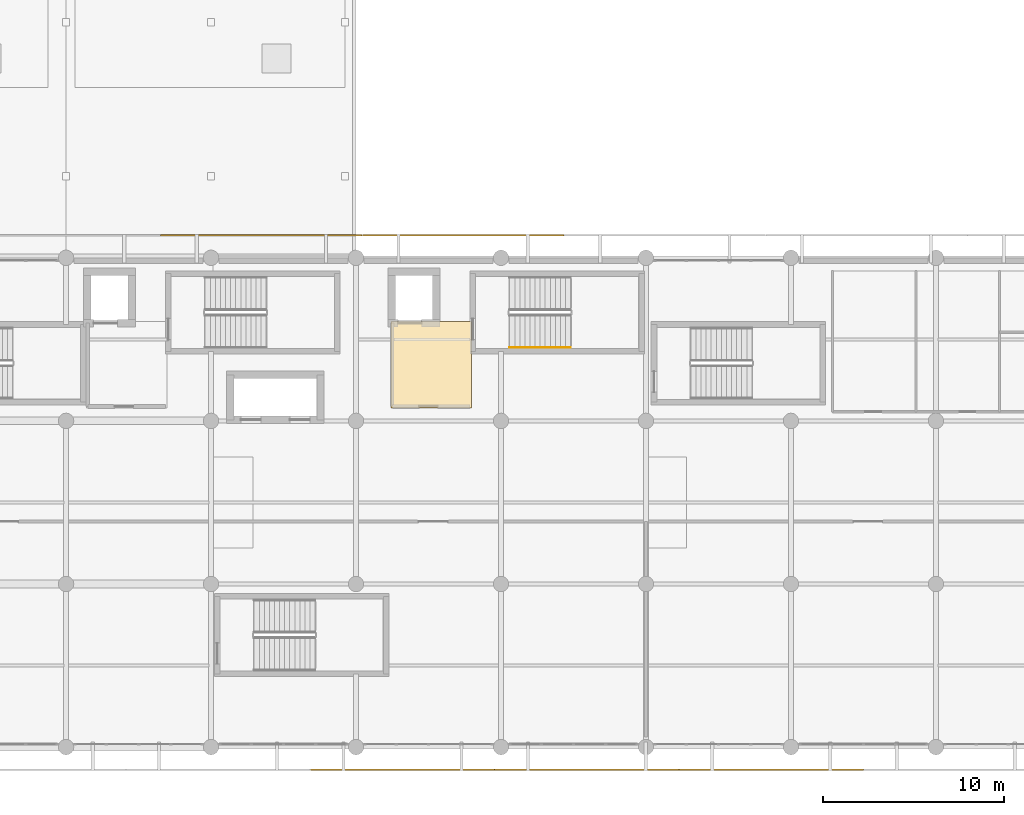
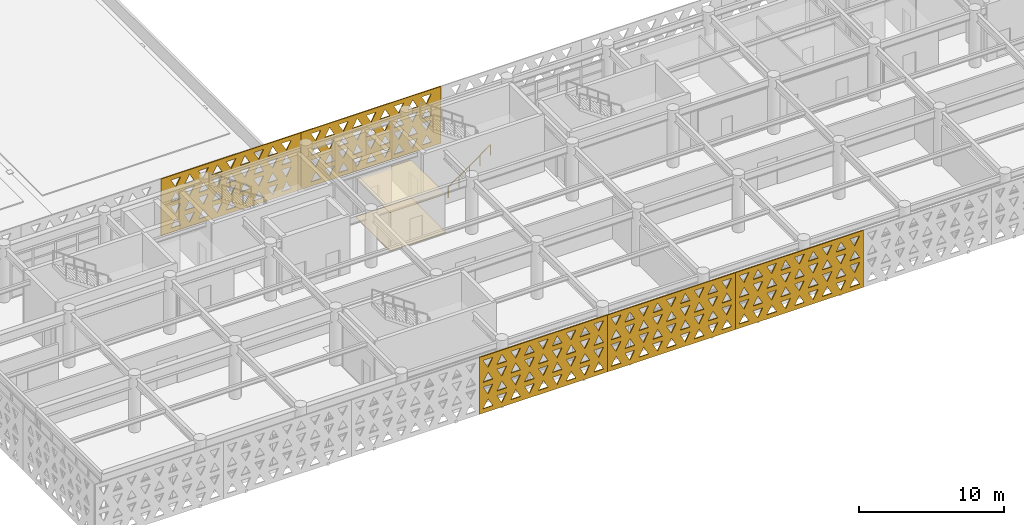
# One storey, part 45 of 54: 7 coverings, 1 railing.
"""IFC4 building model written with IfcOpenShell, lengths in metres."""

from ifc_helpers import new_model, si_unit, direction, frame, origin, origin_2d, place, context, subcontext, project, spatial, polyline, circle, outline, extrude, material, layer, layer_set, type_object, element, save


model = new_model("IFC4")

# Units and contexts
model_context = context("Model", 3, precision=1e-05, world=origin(), true_north=direction((0.0, 1.0)))
body_context = subcontext(model_context, "Body", "Model", "MODEL_VIEW")
ifc_project = project(units=[si_unit("LENGTHUNIT", "METRE"), si_unit("AREAUNIT", "SQUARE_METRE"), si_unit("VOLUMEUNIT", "CUBIC_METRE"), si_unit("PLANEANGLEUNIT", "RADIAN"), si_unit("MASSUNIT", "GRAM", prefix="KILO")], contexts=[model_context])

# Site, building, storey
site_placement = place(None, origin())
site = spatial("IfcSite", under=ifc_project, at=site_placement, CompositionType="ELEMENT")
building_placement = place(site_placement, origin())
building = spatial("IfcBuilding", under=site, at=building_placement, Name="Tlacozan Convention Centre", CompositionType="ELEMENT")
storey_placement = place(building_placement, frame((0.0, 0.0, 11.39990234375)))
storey = spatial("IfcBuildingStorey", under=building, at=storey_placement, Name="L02", CompositionType="ELEMENT", Elevation=11.39990234375)

# Coverings
ifc_material_1 = material(Name="Perforated Acoustic Mineral Fibre Ceiling")
ifc_layer_1 = layer(ifc_material_1, 0.02490234375)
ifc_layer_set_1 = layer_set([ifc_layer_1], Name="Perforated Acoustic Mineral Fibre Ceiling")
covering_type_1 = type_object("IfcCoveringType", Name="Acoustic Mineral Fibre Ceiling 25", PredefinedType="CEILING", material=ifc_layer_set_1)
covering_1_placement = place(storey_placement, frame((0.0, 0.0, 3.2001953125)))
element("IfcCovering", 1, at=covering_1_placement, inside=storey, type_object=covering_type_1, Name="L02 Acoustic Ceiling L02-FFL-3", PredefinedType="CEILING", context=body_context, shape_type="SweptSolid", body=[
    extrude(outline(polyline([(33.919921875, 18.719970703125), (38.3798828125, 18.719970703125), (38.3798828125, 23.47998046875), (33.919921875, 23.47998046875), (33.919921875, 18.719970703125)])), origin(), (0.0, 0.0, 1.0), 0.02490234375),
])
ifc_material_2 = material(Name="Polished Basalt Terrazzo Flooring", Category="masonry")
ifc_layer_2 = layer(ifc_material_2, 0.02001953125)
ifc_layer_set_2 = layer_set([ifc_layer_2], Name="Polished Basalt Terrazzo Flooring")
covering_type_2 = type_object("IfcCoveringType", Name="Polished Basalt Terrazzo Flooring 20", PredefinedType="FLOORING", material=ifc_layer_set_2)
covering_2_placement = place(storey_placement, origin())
element("IfcCovering", 2, at=covering_2_placement, inside=storey, type_object=covering_type_2, Name="L02 Terrazzo Flooring L02-FFL-3", PredefinedType="FLOORING", context=body_context, shape_type="SweptSolid", body=[
    extrude(outline(polyline([(33.919921875, 18.719970703125), (38.3798828125, 18.719970703125), (38.3798828125, 23.47998046875), (33.919921875, 23.47998046875), (33.919921875, 18.719970703125)])), origin(), (0.0, 0.0, 1.0), 0.02001953125),
])

# Railing
ifc_material_3 = material(Name="Architectural Painted Galvanised Steel Railing", Category="steel")
railing_type = type_object("IfcRailingType", Name="Stair Wall Handrail 900", PredefinedType="HANDRAIL", material=ifc_material_3)
railing_placement = place(storey_placement, frame((40.47998046875, 22.050048828125, 0.184814453125)))
element("IfcRailing", 3, at=railing_placement, inside=storey, type_object=railing_type, Name="L02 ST-04 stair handrail 1", PredefinedType="HANDRAIL", context=body_context, shape_type="SweptSolid", body=[
    extrude(circle(Radius=0.02392578125, at=origin_2d()), frame((0.0, 0.0, 0.8759765625), z_axis=(0.813753445783, 0.0, 0.581210228297), x_axis=(0.0, 1.0, 0.0)), (0.0, 0.0, 1.0), 4.129150390625),
    extrude(circle(Radius=0.02099609375, at=origin_2d()), origin(), (0.0, 0.0, 1.0), 0.851806640625),
    extrude(circle(Radius=0.02099609375, at=origin_2d()), frame((0.840087890625, 0.0, 0.60009765625)), (0.0, 0.0, 1.0), 0.851806640625),
    extrude(circle(Radius=0.02099609375, at=origin_2d()), frame((1.68017578125, 0.0, 1.199951171875)), (0.0, 0.0, 1.0), 0.851806640625),
    extrude(circle(Radius=0.02099609375, at=origin_2d()), frame((2.52001953125, 0.0, 1.7998046875)), (0.0, 0.0, 1.0), 0.851806640625),
    extrude(circle(Radius=0.02099609375, at=origin_2d()), frame((3.360107421875, 0.0, 2.39990234375)), (0.0, 0.0, 1.0), 0.851806640625),
])

# Coverings
ifc_material_4 = material(Name="Toluca Fired Terracotta Masonry Solar Screen", Category="masonry")
ifc_layer_3 = layer(ifc_material_4, 0.080078125)
ifc_layer_set_3 = layer_set([ifc_layer_3], Name="Toluca Fired Terracotta Masonry Solar Screen")
covering_type_3 = type_object("IfcCoveringType", Name="Terracotta Triangle Solar Screen 80", PredefinedType="USERDEFINED", material=ifc_layer_set_3)
covering_3_placement = place(storey_placement, frame((29.47705078125, -1.25, -0.02978515625), z_axis=(0.0, 0.0, 1.0), x_axis=(1.0, 0.0, 0.0)))
element("IfcCovering", 4, at=covering_3_placement, inside=storey, type_object=covering_type_3, Name="L02 Terracotta Triangle Screen 28", ObjectType="SCREEN", PredefinedType="USERDEFINED", context=body_context, shape_type="SweptSolid", body=[
    extrude(outline(polyline([(0.0, 0.0), (10.1708984375, 0.0), (10.1708984375, 4.77978515625), (0.0, 4.77978515625), (0.0, 0.0)]), holes=[polyline([(0.29931640625, 0.360107421875), (1.071533203125, 0.360107421875), (0.685546875, 1.074951171875), (0.29931640625, 0.360107421875)]), polyline([(1.3994140625, 1.074951171875), (2.17138671875, 1.074951171875), (1.785400390625, 0.360107421875), (1.3994140625, 1.074951171875)]), polyline([(2.49951171875, 0.360107421875), (3.271484375, 0.360107421875), (2.885498046875, 1.074951171875), (2.49951171875, 0.360107421875)]), polyline([(3.599365234375, 1.074951171875), (4.37158203125, 1.074951171875), (3.9853515625, 0.360107421875), (3.599365234375, 1.074951171875)]), polyline([(4.699462890625, 0.360107421875), (5.471435546875, 0.360107421875), (5.08544921875, 1.074951171875), (4.699462890625, 0.360107421875)]), polyline([(5.79931640625, 1.074951171875), (6.571533203125, 1.074951171875), (6.185546875, 0.360107421875), (5.79931640625, 1.074951171875)]), polyline([(6.8994140625, 0.360107421875), (7.67138671875, 0.360107421875), (7.285400390625, 1.074951171875), (6.8994140625, 0.360107421875)]), polyline([(7.99951171875, 1.074951171875), (8.771484375, 1.074951171875), (8.385498046875, 0.360107421875), (7.99951171875, 1.074951171875)]), polyline([(9.099365234375, 0.360107421875), (9.87158203125, 0.360107421875), (9.4853515625, 1.074951171875), (9.099365234375, 0.360107421875)]), polyline([(0.29931640625, 2.18994140625), (1.071533203125, 2.18994140625), (0.685546875, 1.47509765625), (0.29931640625, 2.18994140625)]), polyline([(1.3994140625, 1.47509765625), (2.17138671875, 1.47509765625), (1.785400390625, 2.18994140625), (1.3994140625, 1.47509765625)]), polyline([(2.49951171875, 2.18994140625), (3.271484375, 2.18994140625), (2.885498046875, 1.47509765625), (2.49951171875, 2.18994140625)]), polyline([(3.599365234375, 1.47509765625), (4.37158203125, 1.47509765625), (3.9853515625, 2.18994140625), (3.599365234375, 1.47509765625)]), polyline([(4.699462890625, 2.18994140625), (5.471435546875, 2.18994140625), (5.08544921875, 1.47509765625), (4.699462890625, 2.18994140625)]), polyline([(5.79931640625, 1.47509765625), (6.571533203125, 1.47509765625), (6.185546875, 2.18994140625), (5.79931640625, 1.47509765625)]), polyline([(6.8994140625, 2.18994140625), (7.67138671875, 2.18994140625), (7.285400390625, 1.47509765625), (6.8994140625, 2.18994140625)]), polyline([(7.99951171875, 1.47509765625), (8.771484375, 1.47509765625), (8.385498046875, 2.18994140625), (7.99951171875, 1.47509765625)]), polyline([(9.099365234375, 2.18994140625), (9.87158203125, 2.18994140625), (9.4853515625, 1.47509765625), (9.099365234375, 2.18994140625)]), polyline([(0.29931640625, 2.58984375), (1.071533203125, 2.58984375), (0.685546875, 3.3046875), (0.29931640625, 2.58984375)]), polyline([(1.3994140625, 3.3046875), (2.17138671875, 3.3046875), (1.785400390625, 2.58984375), (1.3994140625, 3.3046875)]), polyline([(2.49951171875, 2.58984375), (3.271484375, 2.58984375), (2.885498046875, 3.3046875), (2.49951171875, 2.58984375)]), polyline([(3.599365234375, 3.3046875), (4.37158203125, 3.3046875), (3.9853515625, 2.58984375), (3.599365234375, 3.3046875)]), polyline([(4.699462890625, 2.58984375), (5.471435546875, 2.58984375), (5.08544921875, 3.3046875), (4.699462890625, 2.58984375)]), polyline([(5.79931640625, 3.3046875), (6.571533203125, 3.3046875), (6.185546875, 2.58984375), (5.79931640625, 3.3046875)]), polyline([(6.8994140625, 2.58984375), (7.67138671875, 2.58984375), (7.285400390625, 3.3046875), (6.8994140625, 2.58984375)]), polyline([(7.99951171875, 3.3046875), (8.771484375, 3.3046875), (8.385498046875, 2.58984375), (7.99951171875, 3.3046875)]), polyline([(9.099365234375, 2.58984375), (9.87158203125, 2.58984375), (9.4853515625, 3.3046875), (9.099365234375, 2.58984375)]), polyline([(0.29931640625, 4.419677734375), (1.071533203125, 4.419677734375), (0.685546875, 3.704833984375), (0.29931640625, 4.419677734375)]), polyline([(1.3994140625, 3.704833984375), (2.17138671875, 3.704833984375), (1.785400390625, 4.419677734375), (1.3994140625, 3.704833984375)]), polyline([(2.49951171875, 4.419677734375), (3.271484375, 4.419677734375), (2.885498046875, 3.704833984375), (2.49951171875, 4.419677734375)]), polyline([(3.599365234375, 3.704833984375), (4.37158203125, 3.704833984375), (3.9853515625, 4.419677734375), (3.599365234375, 3.704833984375)]), polyline([(4.699462890625, 4.419677734375), (5.471435546875, 4.419677734375), (5.08544921875, 3.704833984375), (4.699462890625, 4.419677734375)]), polyline([(5.79931640625, 3.704833984375), (6.571533203125, 3.704833984375), (6.185546875, 4.419677734375), (5.79931640625, 3.704833984375)]), polyline([(6.8994140625, 4.419677734375), (7.67138671875, 4.419677734375), (7.285400390625, 3.704833984375), (6.8994140625, 4.419677734375)]), polyline([(7.99951171875, 3.704833984375), (8.771484375, 3.704833984375), (8.385498046875, 4.419677734375), (7.99951171875, 3.704833984375)]), polyline([(9.099365234375, 4.419677734375), (9.87158203125, 4.419677734375), (9.4853515625, 3.704833984375), (9.099365234375, 4.419677734375)])]), frame((0.0, 0.0400390625, 0.0), z_axis=(0.0, -1.0, 0.0), x_axis=(1.0, 0.0, 0.0)), (0.0, 0.0, 1.0), 0.080078125),
])
covering_4_placement = place(storey_placement, frame((39.652099609375, -1.25, -0.02978515625), z_axis=(0.0, 0.0, 1.0), x_axis=(1.0, 0.0, 0.0)))
element("IfcCovering", 5, at=covering_4_placement, inside=storey, type_object=covering_type_3, Name="L02 Terracotta Triangle Screen 29", ObjectType="SCREEN", PredefinedType="USERDEFINED", context=body_context, shape_type="SweptSolid", body=[
    extrude(outline(polyline([(0.0, 0.0), (10.1708984375, 0.0), (10.1708984375, 4.77978515625), (0.0, 4.77978515625), (0.0, 0.0)]), holes=[polyline([(0.29931640625, 0.360107421875), (1.071533203125, 0.360107421875), (0.685546875, 1.074951171875), (0.29931640625, 0.360107421875)]), polyline([(1.3994140625, 1.074951171875), (2.17138671875, 1.074951171875), (1.785400390625, 0.360107421875), (1.3994140625, 1.074951171875)]), polyline([(2.49951171875, 0.360107421875), (3.271484375, 0.360107421875), (2.885498046875, 1.074951171875), (2.49951171875, 0.360107421875)]), polyline([(3.599365234375, 1.074951171875), (4.37158203125, 1.074951171875), (3.9853515625, 0.360107421875), (3.599365234375, 1.074951171875)]), polyline([(4.699462890625, 0.360107421875), (5.471435546875, 0.360107421875), (5.08544921875, 1.074951171875), (4.699462890625, 0.360107421875)]), polyline([(5.79931640625, 1.074951171875), (6.571533203125, 1.074951171875), (6.185546875, 0.360107421875), (5.79931640625, 1.074951171875)]), polyline([(6.8994140625, 0.360107421875), (7.67138671875, 0.360107421875), (7.285400390625, 1.074951171875), (6.8994140625, 0.360107421875)]), polyline([(7.99951171875, 1.074951171875), (8.771484375, 1.074951171875), (8.385498046875, 0.360107421875), (7.99951171875, 1.074951171875)]), polyline([(9.099365234375, 0.360107421875), (9.87158203125, 0.360107421875), (9.4853515625, 1.074951171875), (9.099365234375, 0.360107421875)]), polyline([(0.29931640625, 2.18994140625), (1.071533203125, 2.18994140625), (0.685546875, 1.47509765625), (0.29931640625, 2.18994140625)]), polyline([(1.3994140625, 1.47509765625), (2.17138671875, 1.47509765625), (1.785400390625, 2.18994140625), (1.3994140625, 1.47509765625)]), polyline([(2.49951171875, 2.18994140625), (3.271484375, 2.18994140625), (2.885498046875, 1.47509765625), (2.49951171875, 2.18994140625)]), polyline([(3.599365234375, 1.47509765625), (4.37158203125, 1.47509765625), (3.9853515625, 2.18994140625), (3.599365234375, 1.47509765625)]), polyline([(4.699462890625, 2.18994140625), (5.471435546875, 2.18994140625), (5.08544921875, 1.47509765625), (4.699462890625, 2.18994140625)]), polyline([(5.79931640625, 1.47509765625), (6.571533203125, 1.47509765625), (6.185546875, 2.18994140625), (5.79931640625, 1.47509765625)]), polyline([(6.8994140625, 2.18994140625), (7.67138671875, 2.18994140625), (7.285400390625, 1.47509765625), (6.8994140625, 2.18994140625)]), polyline([(7.99951171875, 1.47509765625), (8.771484375, 1.47509765625), (8.385498046875, 2.18994140625), (7.99951171875, 1.47509765625)]), polyline([(9.099365234375, 2.18994140625), (9.87158203125, 2.18994140625), (9.4853515625, 1.47509765625), (9.099365234375, 2.18994140625)]), polyline([(0.29931640625, 2.58984375), (1.071533203125, 2.58984375), (0.685546875, 3.3046875), (0.29931640625, 2.58984375)]), polyline([(1.3994140625, 3.3046875), (2.17138671875, 3.3046875), (1.785400390625, 2.58984375), (1.3994140625, 3.3046875)]), polyline([(2.49951171875, 2.58984375), (3.271484375, 2.58984375), (2.885498046875, 3.3046875), (2.49951171875, 2.58984375)]), polyline([(3.599365234375, 3.3046875), (4.37158203125, 3.3046875), (3.9853515625, 2.58984375), (3.599365234375, 3.3046875)]), polyline([(4.699462890625, 2.58984375), (5.471435546875, 2.58984375), (5.08544921875, 3.3046875), (4.699462890625, 2.58984375)]), polyline([(5.79931640625, 3.3046875), (6.571533203125, 3.3046875), (6.185546875, 2.58984375), (5.79931640625, 3.3046875)]), polyline([(6.8994140625, 2.58984375), (7.67138671875, 2.58984375), (7.285400390625, 3.3046875), (6.8994140625, 2.58984375)]), polyline([(7.99951171875, 3.3046875), (8.771484375, 3.3046875), (8.385498046875, 2.58984375), (7.99951171875, 3.3046875)]), polyline([(9.099365234375, 2.58984375), (9.87158203125, 2.58984375), (9.4853515625, 3.3046875), (9.099365234375, 2.58984375)]), polyline([(0.29931640625, 4.419677734375), (1.071533203125, 4.419677734375), (0.685546875, 3.704833984375), (0.29931640625, 4.419677734375)]), polyline([(1.3994140625, 3.704833984375), (2.17138671875, 3.704833984375), (1.785400390625, 4.419677734375), (1.3994140625, 3.704833984375)]), polyline([(2.49951171875, 4.419677734375), (3.271484375, 4.419677734375), (2.885498046875, 3.704833984375), (2.49951171875, 4.419677734375)]), polyline([(3.599365234375, 3.704833984375), (4.37158203125, 3.704833984375), (3.9853515625, 4.419677734375), (3.599365234375, 3.704833984375)]), polyline([(4.699462890625, 4.419677734375), (5.471435546875, 4.419677734375), (5.08544921875, 3.704833984375), (4.699462890625, 4.419677734375)]), polyline([(5.79931640625, 3.704833984375), (6.571533203125, 3.704833984375), (6.185546875, 4.419677734375), (5.79931640625, 3.704833984375)]), polyline([(6.8994140625, 4.419677734375), (7.67138671875, 4.419677734375), (7.285400390625, 3.704833984375), (6.8994140625, 4.419677734375)]), polyline([(7.99951171875, 3.704833984375), (8.771484375, 3.704833984375), (8.385498046875, 4.419677734375), (7.99951171875, 3.704833984375)]), polyline([(9.099365234375, 4.419677734375), (9.87158203125, 4.419677734375), (9.4853515625, 3.704833984375), (9.099365234375, 4.419677734375)])]), frame((0.0, 0.0400390625, 0.0), z_axis=(0.0, -1.0, 0.0), x_axis=(1.0, 0.0, 0.0)), (0.0, 0.0, 1.0), 0.080078125),
])
covering_5_placement = place(storey_placement, frame((49.826904296875, -1.25, -0.02978515625), z_axis=(0.0, 0.0, 1.0), x_axis=(1.0, 0.0, 0.0)))
element("IfcCovering", 6, at=covering_5_placement, inside=storey, type_object=covering_type_3, Name="L02 Terracotta Triangle Screen 30", ObjectType="SCREEN", PredefinedType="USERDEFINED", context=body_context, shape_type="SweptSolid", body=[
    extrude(outline(polyline([(0.0, 0.0), (10.171142578125, 0.0), (10.171142578125, 4.77978515625), (0.0, 4.77978515625), (0.0, 0.0)]), holes=[polyline([(0.299560546875, 0.360107421875), (1.071533203125, 0.360107421875), (0.685546875, 1.074951171875), (0.299560546875, 0.360107421875)]), polyline([(1.399658203125, 1.074951171875), (2.171630859375, 1.074951171875), (1.78564453125, 0.360107421875), (1.399658203125, 1.074951171875)]), polyline([(2.49951171875, 0.360107421875), (3.271484375, 0.360107421875), (2.885498046875, 1.074951171875), (2.49951171875, 0.360107421875)]), polyline([(3.599609375, 1.074951171875), (4.37158203125, 1.074951171875), (3.985595703125, 0.360107421875), (3.599609375, 1.074951171875)]), polyline([(4.699462890625, 0.360107421875), (5.4716796875, 0.360107421875), (5.08544921875, 1.074951171875), (4.699462890625, 0.360107421875)]), polyline([(5.799560546875, 1.074951171875), (6.571533203125, 1.074951171875), (6.185546875, 0.360107421875), (5.799560546875, 1.074951171875)]), polyline([(6.899658203125, 0.360107421875), (7.671630859375, 0.360107421875), (7.28564453125, 1.074951171875), (6.899658203125, 0.360107421875)]), polyline([(7.99951171875, 1.074951171875), (8.771484375, 1.074951171875), (8.385498046875, 0.360107421875), (7.99951171875, 1.074951171875)]), polyline([(9.099609375, 0.360107421875), (9.87158203125, 0.360107421875), (9.485595703125, 1.074951171875), (9.099609375, 0.360107421875)]), polyline([(0.299560546875, 2.18994140625), (1.071533203125, 2.18994140625), (0.685546875, 1.47509765625), (0.299560546875, 2.18994140625)]), polyline([(1.399658203125, 1.47509765625), (2.171630859375, 1.47509765625), (1.78564453125, 2.18994140625), (1.399658203125, 1.47509765625)]), polyline([(2.49951171875, 2.18994140625), (3.271484375, 2.18994140625), (2.885498046875, 1.47509765625), (2.49951171875, 2.18994140625)]), polyline([(3.599609375, 1.47509765625), (4.37158203125, 1.47509765625), (3.985595703125, 2.18994140625), (3.599609375, 1.47509765625)]), polyline([(4.699462890625, 2.18994140625), (5.4716796875, 2.18994140625), (5.08544921875, 1.47509765625), (4.699462890625, 2.18994140625)]), polyline([(5.799560546875, 1.47509765625), (6.571533203125, 1.47509765625), (6.185546875, 2.18994140625), (5.799560546875, 1.47509765625)]), polyline([(6.899658203125, 2.18994140625), (7.671630859375, 2.18994140625), (7.28564453125, 1.47509765625), (6.899658203125, 2.18994140625)]), polyline([(7.99951171875, 1.47509765625), (8.771484375, 1.47509765625), (8.385498046875, 2.18994140625), (7.99951171875, 1.47509765625)]), polyline([(9.099609375, 2.18994140625), (9.87158203125, 2.18994140625), (9.485595703125, 1.47509765625), (9.099609375, 2.18994140625)]), polyline([(0.299560546875, 2.58984375), (1.071533203125, 2.58984375), (0.685546875, 3.3046875), (0.299560546875, 2.58984375)]), polyline([(1.399658203125, 3.3046875), (2.171630859375, 3.3046875), (1.78564453125, 2.58984375), (1.399658203125, 3.3046875)]), polyline([(2.49951171875, 2.58984375), (3.271484375, 2.58984375), (2.885498046875, 3.3046875), (2.49951171875, 2.58984375)]), polyline([(3.599609375, 3.3046875), (4.37158203125, 3.3046875), (3.985595703125, 2.58984375), (3.599609375, 3.3046875)]), polyline([(4.699462890625, 2.58984375), (5.4716796875, 2.58984375), (5.08544921875, 3.3046875), (4.699462890625, 2.58984375)]), polyline([(5.799560546875, 3.3046875), (6.571533203125, 3.3046875), (6.185546875, 2.58984375), (5.799560546875, 3.3046875)]), polyline([(6.899658203125, 2.58984375), (7.671630859375, 2.58984375), (7.28564453125, 3.3046875), (6.899658203125, 2.58984375)]), polyline([(7.99951171875, 3.3046875), (8.771484375, 3.3046875), (8.385498046875, 2.58984375), (7.99951171875, 3.3046875)]), polyline([(9.099609375, 2.58984375), (9.87158203125, 2.58984375), (9.485595703125, 3.3046875), (9.099609375, 2.58984375)]), polyline([(0.299560546875, 4.419677734375), (1.071533203125, 4.419677734375), (0.685546875, 3.704833984375), (0.299560546875, 4.419677734375)]), polyline([(1.399658203125, 3.704833984375), (2.171630859375, 3.704833984375), (1.78564453125, 4.419677734375), (1.399658203125, 3.704833984375)]), polyline([(2.49951171875, 4.419677734375), (3.271484375, 4.419677734375), (2.885498046875, 3.704833984375), (2.49951171875, 4.419677734375)]), polyline([(3.599609375, 3.704833984375), (4.37158203125, 3.704833984375), (3.985595703125, 4.419677734375), (3.599609375, 3.704833984375)]), polyline([(4.699462890625, 4.419677734375), (5.4716796875, 4.419677734375), (5.08544921875, 3.704833984375), (4.699462890625, 4.419677734375)]), polyline([(5.799560546875, 3.704833984375), (6.571533203125, 3.704833984375), (6.185546875, 4.419677734375), (5.799560546875, 3.704833984375)]), polyline([(6.899658203125, 4.419677734375), (7.671630859375, 4.419677734375), (7.28564453125, 3.704833984375), (6.899658203125, 4.419677734375)]), polyline([(7.99951171875, 3.704833984375), (8.771484375, 3.704833984375), (8.385498046875, 4.419677734375), (7.99951171875, 3.704833984375)]), polyline([(9.099609375, 4.419677734375), (9.87158203125, 4.419677734375), (9.485595703125, 3.704833984375), (9.099609375, 4.419677734375)])]), frame((0.0, 0.0400390625, 0.0), z_axis=(0.0, -1.0, 0.0), x_axis=(1.0, 0.0, 0.0)), (0.0, 0.0, 1.0), 0.080078125),
])
covering_6_placement = place(storey_placement, frame((21.214599609375, 28.25, -0.02978515625), z_axis=(0.0, 0.0, 1.0), x_axis=(1.0, 0.0, 0.0)))
element("IfcCovering", 7, at=covering_6_placement, inside=storey, type_object=covering_type_3, Name="L02 Terracotta Triangle Screen 45", ObjectType="SCREEN", PredefinedType="USERDEFINED", context=body_context, shape_type="SweptSolid", body=[
    extrude(outline(polyline([(0.0, 0.0), (11.127197265625, 0.0), (11.127197265625, 4.77978515625), (0.0, 4.77978515625), (0.0, 0.0)]), holes=[polyline([(0.777587890625, 0.360107421875), (1.549560546875, 0.360107421875), (1.16357421875, 1.074951171875), (0.777587890625, 0.360107421875)]), polyline([(1.877685546875, 1.074951171875), (2.649658203125, 1.074951171875), (2.263671875, 0.360107421875), (1.877685546875, 1.074951171875)]), polyline([(2.9775390625, 0.360107421875), (3.74951171875, 0.360107421875), (3.363525390625, 1.074951171875), (2.9775390625, 0.360107421875)]), polyline([(4.07763671875, 1.074951171875), (4.849609375, 1.074951171875), (4.463623046875, 0.360107421875), (4.07763671875, 1.074951171875)]), polyline([(5.177490234375, 0.360107421875), (5.94970703125, 0.360107421875), (5.5634765625, 1.074951171875), (5.177490234375, 0.360107421875)]), polyline([(6.277587890625, 1.074951171875), (7.049560546875, 1.074951171875), (6.66357421875, 0.360107421875), (6.277587890625, 1.074951171875)]), polyline([(7.377685546875, 0.360107421875), (8.149658203125, 0.360107421875), (7.763671875, 1.074951171875), (7.377685546875, 0.360107421875)]), polyline([(8.4775390625, 1.074951171875), (9.24951171875, 1.074951171875), (8.863525390625, 0.360107421875), (8.4775390625, 1.074951171875)]), polyline([(9.57763671875, 0.360107421875), (10.349609375, 0.360107421875), (9.963623046875, 1.074951171875), (9.57763671875, 0.360107421875)]), polyline([(0.777587890625, 2.18994140625), (1.549560546875, 2.18994140625), (1.16357421875, 1.47509765625), (0.777587890625, 2.18994140625)]), polyline([(1.877685546875, 1.47509765625), (2.649658203125, 1.47509765625), (2.263671875, 2.18994140625), (1.877685546875, 1.47509765625)]), polyline([(2.9775390625, 2.18994140625), (3.74951171875, 2.18994140625), (3.363525390625, 1.47509765625), (2.9775390625, 2.18994140625)]), polyline([(4.07763671875, 1.47509765625), (4.849609375, 1.47509765625), (4.463623046875, 2.18994140625), (4.07763671875, 1.47509765625)]), polyline([(5.177490234375, 2.18994140625), (5.94970703125, 2.18994140625), (5.5634765625, 1.47509765625), (5.177490234375, 2.18994140625)]), polyline([(6.277587890625, 1.47509765625), (7.049560546875, 1.47509765625), (6.66357421875, 2.18994140625), (6.277587890625, 1.47509765625)]), polyline([(7.377685546875, 2.18994140625), (8.149658203125, 2.18994140625), (7.763671875, 1.47509765625), (7.377685546875, 2.18994140625)]), polyline([(8.4775390625, 1.47509765625), (9.24951171875, 1.47509765625), (8.863525390625, 2.18994140625), (8.4775390625, 1.47509765625)]), polyline([(9.57763671875, 2.18994140625), (10.349609375, 2.18994140625), (9.963623046875, 1.47509765625), (9.57763671875, 2.18994140625)]), polyline([(0.777587890625, 2.58984375), (1.549560546875, 2.58984375), (1.16357421875, 3.3046875), (0.777587890625, 2.58984375)]), polyline([(1.877685546875, 3.3046875), (2.649658203125, 3.3046875), (2.263671875, 2.58984375), (1.877685546875, 3.3046875)]), polyline([(2.9775390625, 2.58984375), (3.74951171875, 2.58984375), (3.363525390625, 3.3046875), (2.9775390625, 2.58984375)]), polyline([(4.07763671875, 3.3046875), (4.849609375, 3.3046875), (4.463623046875, 2.58984375), (4.07763671875, 3.3046875)]), polyline([(5.177490234375, 2.58984375), (5.94970703125, 2.58984375), (5.5634765625, 3.3046875), (5.177490234375, 2.58984375)]), polyline([(6.277587890625, 3.3046875), (7.049560546875, 3.3046875), (6.66357421875, 2.58984375), (6.277587890625, 3.3046875)]), polyline([(7.377685546875, 2.58984375), (8.149658203125, 2.58984375), (7.763671875, 3.3046875), (7.377685546875, 2.58984375)]), polyline([(8.4775390625, 3.3046875), (9.24951171875, 3.3046875), (8.863525390625, 2.58984375), (8.4775390625, 3.3046875)]), polyline([(9.57763671875, 2.58984375), (10.349609375, 2.58984375), (9.963623046875, 3.3046875), (9.57763671875, 2.58984375)]), polyline([(0.777587890625, 4.419677734375), (1.549560546875, 4.419677734375), (1.16357421875, 3.704833984375), (0.777587890625, 4.419677734375)]), polyline([(1.877685546875, 3.704833984375), (2.649658203125, 3.704833984375), (2.263671875, 4.419677734375), (1.877685546875, 3.704833984375)]), polyline([(2.9775390625, 4.419677734375), (3.74951171875, 4.419677734375), (3.363525390625, 3.704833984375), (2.9775390625, 4.419677734375)]), polyline([(4.07763671875, 3.704833984375), (4.849609375, 3.704833984375), (4.463623046875, 4.419677734375), (4.07763671875, 3.704833984375)]), polyline([(5.177490234375, 4.419677734375), (5.94970703125, 4.419677734375), (5.5634765625, 3.704833984375), (5.177490234375, 4.419677734375)]), polyline([(6.277587890625, 3.704833984375), (7.049560546875, 3.704833984375), (6.66357421875, 4.419677734375), (6.277587890625, 3.704833984375)]), polyline([(7.377685546875, 4.419677734375), (8.149658203125, 4.419677734375), (7.763671875, 3.704833984375), (7.377685546875, 4.419677734375)]), polyline([(8.4775390625, 3.704833984375), (9.24951171875, 3.704833984375), (8.863525390625, 4.419677734375), (8.4775390625, 3.704833984375)]), polyline([(9.57763671875, 4.419677734375), (10.349609375, 4.419677734375), (9.963623046875, 3.704833984375), (9.57763671875, 4.419677734375)])]), frame((0.0, 0.0400390625, 0.0), z_axis=(0.0, -1.0, 0.0), x_axis=(1.0, 0.0, 0.0)), (0.0, 0.0, 1.0), 0.080078125),
])
covering_7_placement = place(storey_placement, frame((32.345703125, 28.25, -0.02978515625), z_axis=(0.0, 0.0, 1.0), x_axis=(1.0, 0.0, 0.0)))
element("IfcCovering", 8, at=covering_7_placement, inside=storey, type_object=covering_type_3, Name="L02 Terracotta Triangle Screen 46", ObjectType="SCREEN", PredefinedType="USERDEFINED", context=body_context, shape_type="SweptSolid", body=[
    extrude(outline(polyline([(0.0, 0.0), (11.127197265625, 0.0), (11.127197265625, 4.77978515625), (0.0, 4.77978515625), (0.0, 0.0)]), holes=[polyline([(0.777587890625, 0.360107421875), (1.549560546875, 0.360107421875), (1.16357421875, 1.074951171875), (0.777587890625, 0.360107421875)]), polyline([(1.877685546875, 1.074951171875), (2.649658203125, 1.074951171875), (2.263671875, 0.360107421875), (1.877685546875, 1.074951171875)]), polyline([(2.9775390625, 0.360107421875), (3.74951171875, 0.360107421875), (3.363525390625, 1.074951171875), (2.9775390625, 0.360107421875)]), polyline([(4.07763671875, 1.074951171875), (4.849609375, 1.074951171875), (4.463623046875, 0.360107421875), (4.07763671875, 1.074951171875)]), polyline([(5.177490234375, 0.360107421875), (5.94970703125, 0.360107421875), (5.5634765625, 1.074951171875), (5.177490234375, 0.360107421875)]), polyline([(6.277587890625, 1.074951171875), (7.049560546875, 1.074951171875), (6.66357421875, 0.360107421875), (6.277587890625, 1.074951171875)]), polyline([(7.377685546875, 0.360107421875), (8.149658203125, 0.360107421875), (7.763671875, 1.074951171875), (7.377685546875, 0.360107421875)]), polyline([(8.4775390625, 1.074951171875), (9.24951171875, 1.074951171875), (8.863525390625, 0.360107421875), (8.4775390625, 1.074951171875)]), polyline([(9.57763671875, 0.360107421875), (10.349609375, 0.360107421875), (9.963623046875, 1.074951171875), (9.57763671875, 0.360107421875)]), polyline([(0.777587890625, 2.18994140625), (1.549560546875, 2.18994140625), (1.16357421875, 1.47509765625), (0.777587890625, 2.18994140625)]), polyline([(1.877685546875, 1.47509765625), (2.649658203125, 1.47509765625), (2.263671875, 2.18994140625), (1.877685546875, 1.47509765625)]), polyline([(2.9775390625, 2.18994140625), (3.74951171875, 2.18994140625), (3.363525390625, 1.47509765625), (2.9775390625, 2.18994140625)]), polyline([(4.07763671875, 1.47509765625), (4.849609375, 1.47509765625), (4.463623046875, 2.18994140625), (4.07763671875, 1.47509765625)]), polyline([(5.177490234375, 2.18994140625), (5.94970703125, 2.18994140625), (5.5634765625, 1.47509765625), (5.177490234375, 2.18994140625)]), polyline([(6.277587890625, 1.47509765625), (7.049560546875, 1.47509765625), (6.66357421875, 2.18994140625), (6.277587890625, 1.47509765625)]), polyline([(7.377685546875, 2.18994140625), (8.149658203125, 2.18994140625), (7.763671875, 1.47509765625), (7.377685546875, 2.18994140625)]), polyline([(8.4775390625, 1.47509765625), (9.24951171875, 1.47509765625), (8.863525390625, 2.18994140625), (8.4775390625, 1.47509765625)]), polyline([(9.57763671875, 2.18994140625), (10.349609375, 2.18994140625), (9.963623046875, 1.47509765625), (9.57763671875, 2.18994140625)]), polyline([(0.777587890625, 2.58984375), (1.549560546875, 2.58984375), (1.16357421875, 3.3046875), (0.777587890625, 2.58984375)]), polyline([(1.877685546875, 3.3046875), (2.649658203125, 3.3046875), (2.263671875, 2.58984375), (1.877685546875, 3.3046875)]), polyline([(2.9775390625, 2.58984375), (3.74951171875, 2.58984375), (3.363525390625, 3.3046875), (2.9775390625, 2.58984375)]), polyline([(4.07763671875, 3.3046875), (4.849609375, 3.3046875), (4.463623046875, 2.58984375), (4.07763671875, 3.3046875)]), polyline([(5.177490234375, 2.58984375), (5.94970703125, 2.58984375), (5.5634765625, 3.3046875), (5.177490234375, 2.58984375)]), polyline([(6.277587890625, 3.3046875), (7.049560546875, 3.3046875), (6.66357421875, 2.58984375), (6.277587890625, 3.3046875)]), polyline([(7.377685546875, 2.58984375), (8.149658203125, 2.58984375), (7.763671875, 3.3046875), (7.377685546875, 2.58984375)]), polyline([(8.4775390625, 3.3046875), (9.24951171875, 3.3046875), (8.863525390625, 2.58984375), (8.4775390625, 3.3046875)]), polyline([(9.57763671875, 2.58984375), (10.349609375, 2.58984375), (9.963623046875, 3.3046875), (9.57763671875, 2.58984375)]), polyline([(0.777587890625, 4.419677734375), (1.549560546875, 4.419677734375), (1.16357421875, 3.704833984375), (0.777587890625, 4.419677734375)]), polyline([(1.877685546875, 3.704833984375), (2.649658203125, 3.704833984375), (2.263671875, 4.419677734375), (1.877685546875, 3.704833984375)]), polyline([(2.9775390625, 4.419677734375), (3.74951171875, 4.419677734375), (3.363525390625, 3.704833984375), (2.9775390625, 4.419677734375)]), polyline([(4.07763671875, 3.704833984375), (4.849609375, 3.704833984375), (4.463623046875, 4.419677734375), (4.07763671875, 3.704833984375)]), polyline([(5.177490234375, 4.419677734375), (5.94970703125, 4.419677734375), (5.5634765625, 3.704833984375), (5.177490234375, 4.419677734375)]), polyline([(6.277587890625, 3.704833984375), (7.049560546875, 3.704833984375), (6.66357421875, 4.419677734375), (6.277587890625, 3.704833984375)]), polyline([(7.377685546875, 4.419677734375), (8.149658203125, 4.419677734375), (7.763671875, 3.704833984375), (7.377685546875, 4.419677734375)]), polyline([(8.4775390625, 3.704833984375), (9.24951171875, 3.704833984375), (8.863525390625, 4.419677734375), (8.4775390625, 3.704833984375)]), polyline([(9.57763671875, 4.419677734375), (10.349609375, 4.419677734375), (9.963623046875, 3.704833984375), (9.57763671875, 4.419677734375)])]), frame((0.0, 0.0400390625, 0.0), z_axis=(0.0, -1.0, 0.0), x_axis=(1.0, 0.0, 0.0)), (0.0, 0.0, 1.0), 0.080078125),
])

save(model, "model.ifc")
